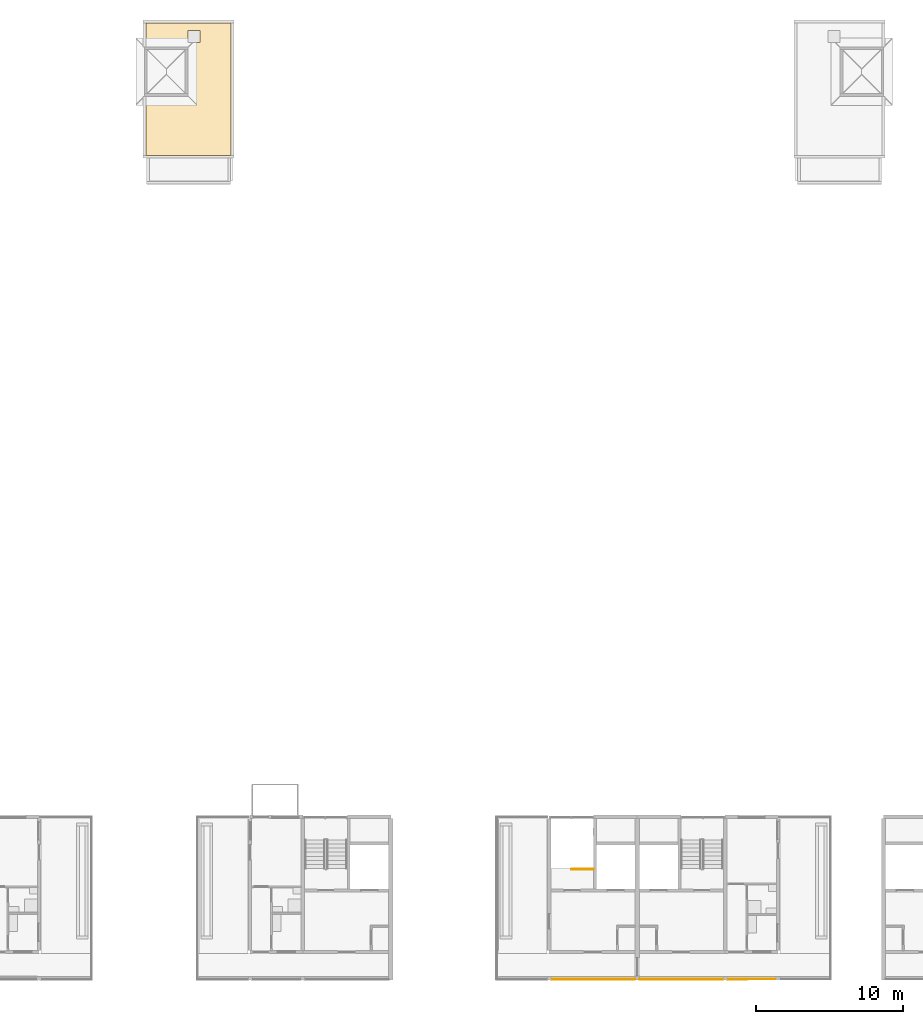
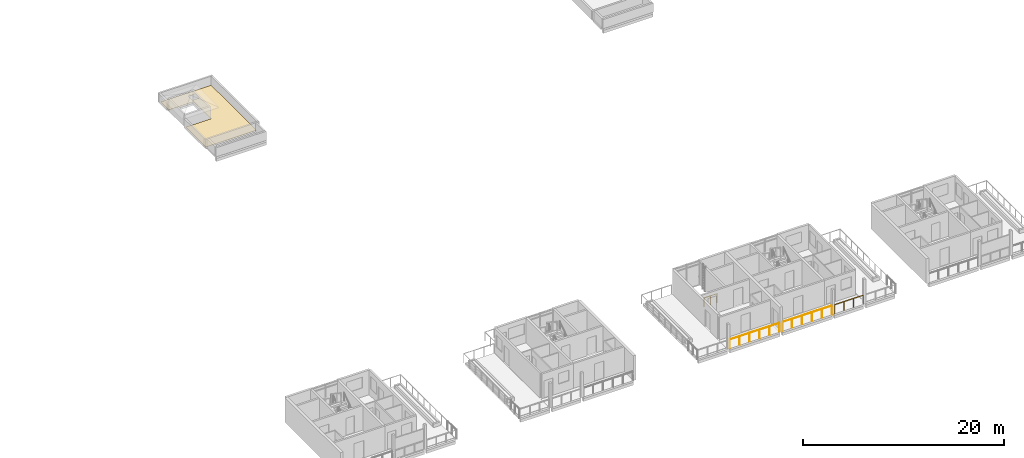
# One storey, part 37 of 41: 4 railings, 1 covering.
"""IFC4 building model written with IfcOpenShell, lengths in metres."""

from ifc_helpers import new_model, si_unit, direction, frame, origin, origin_2d, place, context, subcontext, project, spatial, polyline, circle, outline, extrude, material, layer, layer_set, type_object, element, save


model = new_model("IFC4")

# Units and contexts
model_context = context("Model", 3, precision=1e-05, world=origin(), true_north=direction((0.0, 1.0)))
body_context = subcontext(model_context, "Body", "Model", "MODEL_VIEW")
ifc_project = project(units=[si_unit("LENGTHUNIT", "METRE"), si_unit("AREAUNIT", "SQUARE_METRE"), si_unit("VOLUMEUNIT", "CUBIC_METRE"), si_unit("PLANEANGLEUNIT", "RADIAN"), si_unit("MASSUNIT", "GRAM", prefix="KILO")], contexts=[model_context])

# Site, building, storey
site_placement = place(None, origin())
site = spatial("IfcSite", under=ifc_project, at=site_placement, CompositionType="ELEMENT")
building_placement = place(site_placement, origin())
building = spatial("IfcBuilding", under=site, at=building_placement, Name="Ridgestep Commons", CompositionType="ELEMENT")
storey_placement = place(building_placement, frame((0.0, 0.0, 39.0)))
storey = spatial("IfcBuildingStorey", under=building, at=storey_placement, Name="L13", CompositionType="ELEMENT", Elevation=39.0)

# Railings
ifc_material_1 = material(Name="Structural steel S355JR", Category="steel")
railing_type_1 = type_object("IfcRailingType", Name="Guard 1100", PredefinedType="GUARDRAIL", material=ifc_material_1)
for number, where, name in (
    (1, (208.14599609375, 11.800048828125, 0.0), "Gallery guard D 13.2"),
    (2, (214.1708984375, 11.800048828125, 0.0), "Gallery guard D 13.3"),
):
    element("IfcRailing", number, at=place(storey_placement, frame(where)), inside=storey, type_object=railing_type_1, Name=name, PredefinedType="GUARDRAIL", context=body_context, shape_type="SweptSolid", body=[
        extrude(circle(Radius=0.02392578125, at=origin_2d()), frame((0.0, 0.0, 1.076171875), z_axis=(1.0, 0.0, 0.0), x_axis=(0.0, 1.0, 0.0)), (0.0, 0.0, 1.0), 5.68310546875),
        extrude(circle(Radius=0.02099609375, at=origin_2d()), origin(), (0.0, 0.0, 1.0), 1.052001953125),
        extrude(circle(Radius=0.02099609375, at=origin_2d()), frame((1.13671875, 0.0, 0.0)), (0.0, 0.0, 1.0), 1.052001953125),
        extrude(circle(Radius=0.02099609375, at=origin_2d()), frame((2.273193359375, 0.0, 0.0)), (0.0, 0.0, 1.0), 1.052001953125),
        extrude(circle(Radius=0.02099609375, at=origin_2d()), frame((3.409912109375, 0.0, 0.0)), (0.0, 0.0, 1.0), 1.052001953125),
        extrude(circle(Radius=0.02099609375, at=origin_2d()), frame((4.54638671875, 0.0, 0.0)), (0.0, 0.0, 1.0), 1.052001953125),
        extrude(circle(Radius=0.02099609375, at=origin_2d()), frame((5.68310546875, 0.0, 0.0)), (0.0, 0.0, 1.0), 1.052001953125),
    ])
railing_1_placement = place(storey_placement, frame((220.14599609375, 11.800048828125, 0.0)))
element("IfcRailing", 3, at=railing_1_placement, inside=storey, type_object=railing_type_1, Name="Gallery guard D 13.4", PredefinedType="GUARDRAIL", context=body_context, shape_type="SweptSolid", body=[
    extrude(circle(Radius=0.02392578125, at=origin_2d()), frame((0.0, 0.0, 1.076171875), z_axis=(1.0, 0.0, 0.0), x_axis=(0.0, 1.0, 0.0)), (0.0, 0.0, 1.0), 3.30810546875),
    extrude(circle(Radius=0.02099609375, at=origin_2d()), origin(), (0.0, 0.0, 1.0), 1.052001953125),
    extrude(circle(Radius=0.02099609375, at=origin_2d()), frame((1.102783203125, 0.0, 0.0)), (0.0, 0.0, 1.0), 1.052001953125),
    extrude(circle(Radius=0.02099609375, at=origin_2d()), frame((2.205322265625, 0.0, 0.0)), (0.0, 0.0, 1.0), 1.052001953125),
    extrude(circle(Radius=0.02099609375, at=origin_2d()), frame((3.30810546875, 0.0, 0.0)), (0.0, 0.0, 1.0), 1.052001953125),
])

# Covering
ifc_material_2 = material(Name="Bitumen membrane, two layer")
ifc_layer = layer(ifc_material_2, 0.011962890625)
ifc_layer_set = layer_set([ifc_layer], Name="Roof membrane 12")
covering_type = type_object("IfcCoveringType", Name="Roof membrane 12", PredefinedType="ROOFING", material=ifc_layer_set)
covering_placement = place(storey_placement, origin())
element("IfcCovering", 4, at=covering_placement, inside=storey, type_object=covering_type, Name="Roof membrane C3C", PredefinedType="ROOFING", context=body_context, shape_type="SweptSolid", body=[
    extrude(outline(polyline([(186.300048828125, 77.02490234375), (186.300048828125, 68.0), (180.5, 68.0), (180.5, 72.0), (183.375, 72.0), (183.375, 75.39990234375), (180.5, 75.39990234375), (180.5, 77.02490234375), (186.300048828125, 77.02490234375)]), holes=[polyline([(184.175048828125, 76.5), (183.375, 76.5), (183.375, 75.699951171875), (184.175048828125, 75.699951171875), (184.175048828125, 76.5)])]), origin(), (0.0, 0.0, 1.0), 0.011962890625),
])

# Railing
ifc_material_3 = material(Name="Structural steel S355JR", Category="steel")
railing_type_2 = type_object("IfcRailingType", Name="Stair guard 1100", PredefinedType="GUARDRAIL", material=ifc_material_3)
railing_2_placement = place(storey_placement, frame((211.02490234375, 19.300048828125, 0.0)))
element("IfcRailing", 5, at=railing_2_placement, inside=storey, type_object=railing_type_2, Name="L13 D4C top well guard 1", PredefinedType="GUARDRAIL", context=body_context, shape_type="SweptSolid", body=[
    extrude(circle(Radius=0.02392578125, at=origin_2d()), frame((0.0, 0.0, 1.076171875), z_axis=(-1.0, 0.0, 0.0), x_axis=(0.0, -1.0, 0.0)), (0.0, 0.0, 1.0), 1.5),
    extrude(circle(Radius=0.02099609375, at=origin_2d()), origin(), (0.0, 0.0, 1.0), 1.052001953125),
    extrude(circle(Radius=0.02099609375, at=origin_2d()), frame((-0.75, 0.0, 0.0)), (0.0, 0.0, 1.0), 1.052001953125),
    extrude(circle(Radius=0.02099609375, at=origin_2d()), frame((-1.5, 0.0, 0.0)), (0.0, 0.0, 1.0), 1.052001953125),
])

save(model, "model.ifc")
